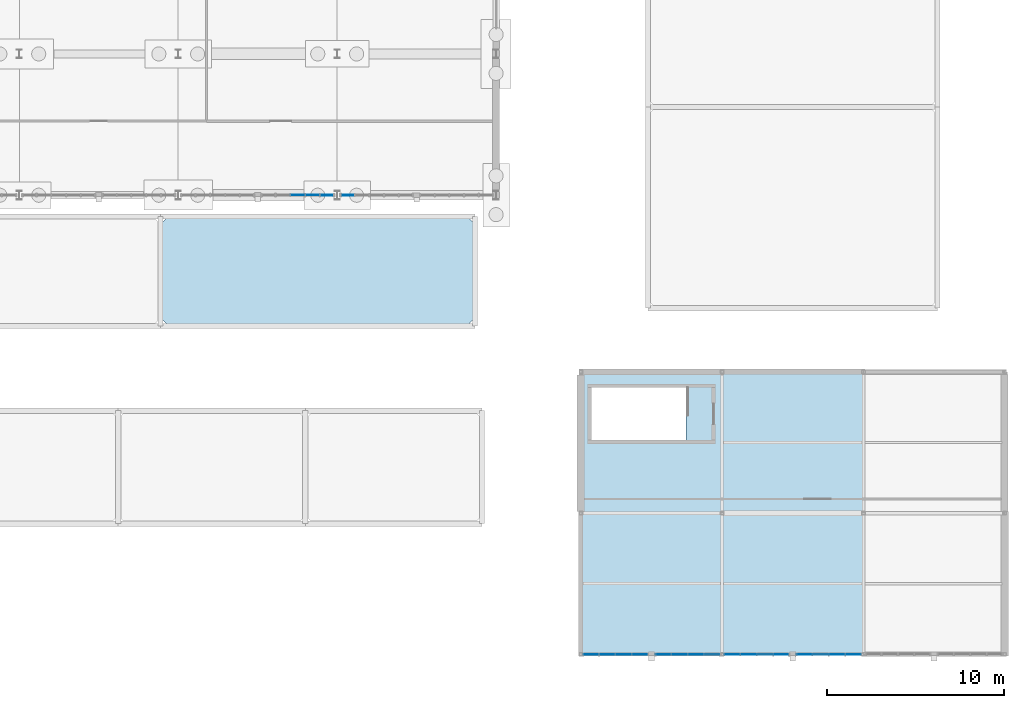
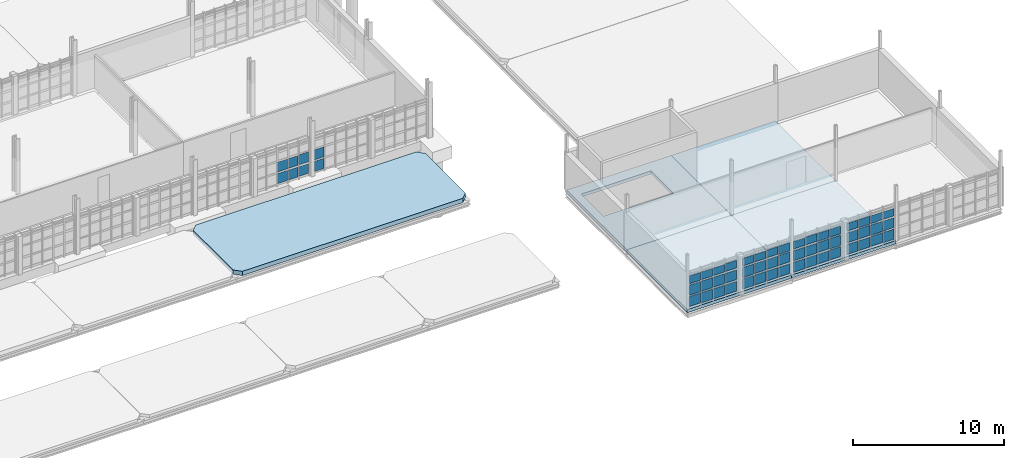
# One storey, part 88 of 125: 56 plates, 5 slabs, 6 elements without a shape of their own.
"""IFC4 building model written with IfcOpenShell, lengths in metres."""

from ifc_helpers import new_model, si_unit, direction, frame, origin, origin_2d, place, context, subcontext, project, spatial, polyline, rectangle, outline, extrude, material, layer, layer_set, type_object, element, aggregate, save


model = new_model("IFC4")

# Units and contexts
model_context = context("Model", 3, precision=1e-05, world=origin(), true_north=direction((0.0, 1.0)))
body_context = subcontext(model_context, "Body", "Model", "MODEL_VIEW")
ifc_project = project(units=[si_unit("LENGTHUNIT", "METRE"), si_unit("AREAUNIT", "SQUARE_METRE"), si_unit("VOLUMEUNIT", "CUBIC_METRE"), si_unit("PLANEANGLEUNIT", "RADIAN"), si_unit("MASSUNIT", "GRAM", prefix="KILO")], contexts=[model_context])

# Site, building, storey
site_placement = place(None, origin())
site = spatial("IfcSite", under=ifc_project, at=site_placement, CompositionType="ELEMENT")
building_placement = place(site_placement, origin())
building = spatial("IfcBuilding", under=site, at=building_placement, Name="Serraforn Aerial Cableway Station", CompositionType="ELEMENT")
storey_placement = place(building_placement, frame((0.0, 0.0, 4.5)))
storey = spatial("IfcBuildingStorey", under=building, at=storey_placement, Name="L01", CompositionType="ELEMENT", Elevation=4.5)

# Curtain wall, plates
ifc_material_1 = material(Name="Anodised bronze unitised curtain wall")
curtain_wall_type_1 = type_object("IfcCurtainWallType", Name="CW-SYS-3", PredefinedType="USERDEFINED", material=ifc_material_1)
curtain_wall_1_placement = place(storey_placement, origin())
curtain_wall_1 = element("IfcCurtainWall", 1, at=curtain_wall_1_placement, inside=storey, type_object=curtain_wall_type_1, Name="Unitised Curtain Wall CW-ES-L01-S1A", ObjectType="UNITISED CURTAIN WALL", PredefinedType="USERDEFINED")
ifc_material_2 = material(Name="Solar-control low-E double glazing", Category="glass")
ifc_layer_1 = layer(ifc_material_2, 0.02587890625)
ifc_layer_set_1 = layer_set([ifc_layer_1], Name="Solar-control low-E double glazing")
plate_type_1 = type_object("IfcPlateType", Name="CW-GLZ-1", PredefinedType="CURTAIN_PANEL", material=ifc_layer_set_1)
plate_1_placement = place(storey_placement, frame((144.57958984375, 0.0, 1.11376953125), z_axis=(0.0, 0.0, 1.0), x_axis=(1.0, 0.0, 0.0)))
plate_1 = element("IfcPlate", 2, at=plate_1_placement, type_object=plate_type_1, Name="Curtain Wall Panel CW-ES-L01-S1A-P1-2", PredefinedType="CURTAIN_PANEL", context=body_context, shape_type="SweptSolid", body=[
    extrude(rectangle(XDim=0.826904296875, YDim=0.02587890625, at=origin_2d()), origin(), (0.0, 0.0, 1.0), 0.824951171875),
])
plate_2_placement = place(storey_placement, frame((145.498779296875, 0.0, 0.177734375), z_axis=(0.0, 0.0, 1.0), x_axis=(1.0, 0.0, 0.0)))
plate_2 = element("IfcPlate", 3, at=plate_2_placement, type_object=plate_type_1, Name="Curtain Wall Panel CW-ES-L01-S1A-P2-1", PredefinedType="CURTAIN_PANEL", context=body_context, shape_type="SweptSolid", body=[
    extrude(rectangle(XDim=0.869384765625, YDim=0.02587890625, at=origin_2d()), origin(), (0.0, 0.0, 1.0), 0.824951171875),
])

# Curtain wall, plate
curtain_wall_type_2 = type_object("IfcCurtainWallType", Name="CW-SYS-4", PredefinedType="USERDEFINED", material=ifc_material_1)
curtain_wall_2_placement = place(storey_placement, origin())
curtain_wall_2 = element("IfcCurtainWall", 4, at=curtain_wall_2_placement, inside=storey, type_object=curtain_wall_type_2, Name="Unitised Curtain Wall CW-ES-L01-S1B", ObjectType="UNITISED CURTAIN WALL", PredefinedType="USERDEFINED")
plate_3_placement = place(storey_placement, frame((148.6689453125, 0.0, 0.177734375), z_axis=(0.0, 0.0, 1.0), x_axis=(1.0, 0.0, 0.0)))
plate_3 = element("IfcPlate", 5, at=plate_3_placement, type_object=plate_type_1, Name="Curtain Wall Panel CW-ES-L01-S1B-P1-1", PredefinedType="CURTAIN_PANEL", context=body_context, shape_type="SweptSolid", body=[
    extrude(rectangle(XDim=0.83203125, YDim=0.02587890625, at=origin_2d()), origin(), (0.0, 0.0, 1.0), 0.824951171875),
])

curtain_wall_type_3 = type_object("IfcCurtainWallType", Name="CW-SYS-18", PredefinedType="USERDEFINED", material=ifc_material_1)
curtain_wall_3_placement = place(storey_placement, origin())
curtain_wall_3 = element("IfcCurtainWall", 6, at=curtain_wall_3_placement, inside=storey, type_object=curtain_wall_type_3, Name="Unitised Curtain Wall CW-EL-L01-S4B", ObjectType="UNITISED CURTAIN WALL", PredefinedType="USERDEFINED")
plate_4_placement = place(storey_placement, frame((127.964599609375, 26.0, 0.182861328125), z_axis=(0.0, 0.0, 1.0), x_axis=(1.0, 0.0, 0.0)))
plate_4 = element("IfcPlate", 7, at=plate_4_placement, type_object=plate_type_1, Name="Curtain Wall Panel CW-EL-L01-S4B-P3-1", PredefinedType="CURTAIN_PANEL", context=body_context, shape_type="SweptSolid", body=[
    extrude(rectangle(XDim=0.781005859375, YDim=0.02587890625, at=origin_2d()), origin(), (0.0, 0.0, 1.0), 0.8125),
])

curtain_wall_type_4 = type_object("IfcCurtainWallType", Name="CW-SYS-19", PredefinedType="USERDEFINED", material=ifc_material_1)
curtain_wall_4_placement = place(storey_placement, origin())
curtain_wall_4 = element("IfcCurtainWall", 8, at=curtain_wall_4_placement, inside=storey, type_object=curtain_wall_type_4, Name="Unitised Curtain Wall CW-EL-L01-S5A", ObjectType="UNITISED CURTAIN WALL", PredefinedType="USERDEFINED")
plate_5_placement = place(storey_placement, frame((130.788818359375, 26.0, 1.118896484375), z_axis=(0.0, 0.0, 1.0), x_axis=(1.0, 0.0, 0.0)))
plate_5 = element("IfcPlate", 9, at=plate_5_placement, type_object=plate_type_1, Name="Curtain Wall Panel CW-EL-L01-S5A-P1-2", PredefinedType="CURTAIN_PANEL", context=body_context, shape_type="SweptSolid", body=[
    extrude(rectangle(XDim=0.73583984375, YDim=0.02587890625, at=origin_2d()), origin(), (0.0, 0.0, 1.0), 0.8125),
])

# Plate
ifc_layer_2 = layer(ifc_material_2, 0.028076171875)
ifc_layer_set_2 = layer_set([ifc_layer_2], Name="Solar-control low-E double glazing")
plate_type_2 = type_object("IfcPlateType", Name="CW-GLZ-2", PredefinedType="CURTAIN_PANEL", material=ifc_layer_set_2)
plate_6_placement = place(storey_placement, frame((144.57958984375, 0.0, 2.0546875), z_axis=(0.0, 0.0, 1.0), x_axis=(1.0, 0.0, 0.0)))
plate_6 = element("IfcPlate", 10, at=plate_6_placement, type_object=plate_type_2, Name="Curtain Wall Panel CW-ES-L01-S1A-P1-3", PredefinedType="CURTAIN_PANEL", context=body_context, shape_type="SweptSolid", body=[
    extrude(rectangle(XDim=0.826904296875, YDim=0.028076171875, at=origin_2d()), origin(), (0.0, 0.0, 1.0), 0.625244140625),
])

plate_7_placement = place(storey_placement, frame((145.498779296875, 0.0, 1.118896484375), z_axis=(0.0, 0.0, 1.0), x_axis=(1.0, 0.0, 0.0)))
plate_7 = element("IfcPlate", 11, at=plate_7_placement, type_object=plate_type_2, Name="Curtain Wall Panel CW-ES-L01-S1A-P2-2", PredefinedType="CURTAIN_PANEL", context=body_context, shape_type="SweptSolid", body=[
    extrude(rectangle(XDim=0.869384765625, YDim=0.028076171875, at=origin_2d()), origin(), (0.0, 0.0, 1.0), 0.8125),
])

plate_8_placement = place(storey_placement, frame((146.423095703125, 0.0, 0.182861328125), z_axis=(0.0, 0.0, 1.0), x_axis=(1.0, 0.0, 0.0)))
plate_8 = element("IfcPlate", 12, at=plate_8_placement, type_object=plate_type_2, Name="Curtain Wall Panel CW-ES-L01-S1A-P3-1", PredefinedType="CURTAIN_PANEL", context=body_context, shape_type="SweptSolid", body=[
    extrude(rectangle(XDim=0.876953125, YDim=0.028076171875, at=origin_2d()), origin(), (0.0, 0.0, 1.0), 0.8125),
])

plate_9_placement = place(storey_placement, frame((148.6689453125, 0.0, 1.118896484375), z_axis=(0.0, 0.0, 1.0), x_axis=(1.0, 0.0, 0.0)))
plate_9 = element("IfcPlate", 13, at=plate_9_placement, type_object=plate_type_2, Name="Curtain Wall Panel CW-ES-L01-S1B-P1-2", PredefinedType="CURTAIN_PANEL", context=body_context, shape_type="SweptSolid", body=[
    extrude(rectangle(XDim=0.83203125, YDim=0.028076171875, at=origin_2d()), origin(), (0.0, 0.0, 1.0), 0.8125),
])

plate_10_placement = place(storey_placement, frame((149.574462890625, 0.0, 0.182861328125), z_axis=(0.0, 0.0, 1.0), x_axis=(1.0, 0.0, 0.0)))
plate_10 = element("IfcPlate", 14, at=plate_10_placement, type_object=plate_type_2, Name="Curtain Wall Panel CW-ES-L01-S1B-P2-1", PredefinedType="CURTAIN_PANEL", context=body_context, shape_type="SweptSolid", body=[
    extrude(rectangle(XDim=0.876953125, YDim=0.028076171875, at=origin_2d()), origin(), (0.0, 0.0, 1.0), 0.8125),
])

# Curtain wall, plate
curtain_wall_type_5 = type_object("IfcCurtainWallType", Name="CW-SYS-5", PredefinedType="USERDEFINED", material=ifc_material_1)
curtain_wall_5_placement = place(storey_placement, origin())
curtain_wall_5 = element("IfcCurtainWall", 15, at=curtain_wall_5_placement, inside=storey, type_object=curtain_wall_type_5, Name="Unitised Curtain Wall CW-ES-L01-S2A", ObjectType="UNITISED CURTAIN WALL", PredefinedType="USERDEFINED")
plate_11_placement = place(storey_placement, frame((152.57568359375, 0.0, 0.182861328125), z_axis=(0.0, 0.0, 1.0), x_axis=(1.0, 0.0, 0.0)))
plate_11 = element("IfcPlate", 16, at=plate_11_placement, type_object=plate_type_2, Name="Curtain Wall Panel CW-ES-L01-S2A-P1-1", PredefinedType="CURTAIN_PANEL", context=body_context, shape_type="SweptSolid", body=[
    extrude(rectangle(XDim=0.849609375, YDim=0.028076171875, at=origin_2d()), origin(), (0.0, 0.0, 1.0), 0.8125),
])

# Plate
plate_12_placement = place(storey_placement, frame((127.964599609375, 26.0, 1.12646484375), z_axis=(0.0, 0.0, 1.0), x_axis=(1.0, 0.0, 0.0)))
plate_12 = element("IfcPlate", 17, at=plate_12_placement, type_object=plate_type_2, Name="Curtain Wall Panel CW-EL-L01-S4B-P3-2", PredefinedType="CURTAIN_PANEL", context=body_context, shape_type="SweptSolid", body=[
    extrude(rectangle(XDim=0.781005859375, YDim=0.028076171875, at=origin_2d()), origin(), (0.0, 0.0, 1.0), 0.797607421875),
])

plate_13_placement = place(storey_placement, frame((128.799072265625, 26.0, 0.1904296875), z_axis=(0.0, 0.0, 1.0), x_axis=(1.0, 0.0, 0.0)))
plate_13 = element("IfcPlate", 18, at=plate_13_placement, type_object=plate_type_2, Name="Curtain Wall Panel CW-EL-L01-S4B-P4-1", PredefinedType="CURTAIN_PANEL", context=body_context, shape_type="SweptSolid", body=[
    extrude(rectangle(XDim=0.77587890625, YDim=0.028076171875, at=origin_2d()), origin(), (0.0, 0.0, 1.0), 0.797607421875),
])

ifc_layer_3 = layer(ifc_material_2, 0.030029296875)
ifc_layer_set_3 = layer_set([ifc_layer_3], Name="Solar-control low-E double glazing")
plate_type_3 = type_object("IfcPlateType", Name="CW-GLZ-3", PredefinedType="CURTAIN_PANEL", material=ifc_layer_set_3)
plate_14_placement = place(storey_placement, frame((145.498779296875, 0.0, 2.062255859375), z_axis=(0.0, 0.0, 1.0), x_axis=(1.0, 0.0, 0.0)))
plate_14 = element("IfcPlate", 19, at=plate_14_placement, type_object=plate_type_3, Name="Curtain Wall Panel CW-ES-L01-S1A-P2-3", PredefinedType="CURTAIN_PANEL", context=body_context, shape_type="SweptSolid", body=[
    extrude(rectangle(XDim=0.869384765625, YDim=0.030029296875, at=origin_2d()), origin(), (0.0, 0.0, 1.0), 0.6103515625),
])

plate_15_placement = place(storey_placement, frame((146.423095703125, 0.0, 1.12646484375), z_axis=(0.0, 0.0, 1.0), x_axis=(1.0, 0.0, 0.0)))
plate_15 = element("IfcPlate", 20, at=plate_15_placement, type_object=plate_type_3, Name="Curtain Wall Panel CW-ES-L01-S1A-P3-2", PredefinedType="CURTAIN_PANEL", context=body_context, shape_type="SweptSolid", body=[
    extrude(rectangle(XDim=0.876953125, YDim=0.030029296875, at=origin_2d()), origin(), (0.0, 0.0, 1.0), 0.797607421875),
])

plate_16_placement = place(storey_placement, frame((147.337158203125, 0.0, 0.1904296875), z_axis=(0.0, 0.0, 1.0), x_axis=(1.0, 0.0, 0.0)))
plate_16 = element("IfcPlate", 21, at=plate_16_placement, type_object=plate_type_3, Name="Curtain Wall Panel CW-ES-L01-S1A-P4-1", PredefinedType="CURTAIN_PANEL", context=body_context, shape_type="SweptSolid", body=[
    extrude(rectangle(XDim=0.839599609375, YDim=0.030029296875, at=origin_2d()), origin(), (0.0, 0.0, 1.0), 0.797607421875),
])

plate_17_placement = place(storey_placement, frame((148.6689453125, 0.0, 2.062255859375), z_axis=(0.0, 0.0, 1.0), x_axis=(1.0, 0.0, 0.0)))
plate_17 = element("IfcPlate", 22, at=plate_17_placement, type_object=plate_type_3, Name="Curtain Wall Panel CW-ES-L01-S1B-P1-3", PredefinedType="CURTAIN_PANEL", context=body_context, shape_type="SweptSolid", body=[
    extrude(rectangle(XDim=0.83203125, YDim=0.030029296875, at=origin_2d()), origin(), (0.0, 0.0, 1.0), 0.6103515625),
])

plate_18_placement = place(storey_placement, frame((149.574462890625, 0.0, 1.12646484375), z_axis=(0.0, 0.0, 1.0), x_axis=(1.0, 0.0, 0.0)))
plate_18 = element("IfcPlate", 23, at=plate_18_placement, type_object=plate_type_3, Name="Curtain Wall Panel CW-ES-L01-S1B-P2-2", PredefinedType="CURTAIN_PANEL", context=body_context, shape_type="SweptSolid", body=[
    extrude(rectangle(XDim=0.876953125, YDim=0.030029296875, at=origin_2d()), origin(), (0.0, 0.0, 1.0), 0.797607421875),
])

plate_19_placement = place(storey_placement, frame((150.5048828125, 0.0, 0.1904296875), z_axis=(0.0, 0.0, 1.0), x_axis=(1.0, 0.0, 0.0)))
plate_19 = element("IfcPlate", 24, at=plate_19_placement, type_object=plate_type_3, Name="Curtain Wall Panel CW-ES-L01-S1B-P3-1", PredefinedType="CURTAIN_PANEL", context=body_context, shape_type="SweptSolid", body=[
    extrude(rectangle(XDim=0.8720703125, YDim=0.030029296875, at=origin_2d()), origin(), (0.0, 0.0, 1.0), 0.797607421875),
])

plate_20_placement = place(storey_placement, frame((152.57568359375, 0.0, 1.12646484375), z_axis=(0.0, 0.0, 1.0), x_axis=(1.0, 0.0, 0.0)))
plate_20 = element("IfcPlate", 25, at=plate_20_placement, type_object=plate_type_3, Name="Curtain Wall Panel CW-ES-L01-S2A-P1-2", PredefinedType="CURTAIN_PANEL", context=body_context, shape_type="SweptSolid", body=[
    extrude(rectangle(XDim=0.849609375, YDim=0.030029296875, at=origin_2d()), origin(), (0.0, 0.0, 1.0), 0.797607421875),
])

plate_21_placement = place(storey_placement, frame((153.492431640625, 0.0, 0.1904296875), z_axis=(0.0, 0.0, 1.0), x_axis=(1.0, 0.0, 0.0)))
plate_21 = element("IfcPlate", 26, at=plate_21_placement, type_object=plate_type_3, Name="Curtain Wall Panel CW-ES-L01-S2A-P2-1", PredefinedType="CURTAIN_PANEL", context=body_context, shape_type="SweptSolid", body=[
    extrude(rectangle(XDim=0.8720703125, YDim=0.030029296875, at=origin_2d()), origin(), (0.0, 0.0, 1.0), 0.797607421875),
])

# Curtain wall, plate
curtain_wall_type_6 = type_object("IfcCurtainWallType", Name="CW-SYS-6", PredefinedType="USERDEFINED", material=ifc_material_1)
curtain_wall_6_placement = place(storey_placement, origin())
curtain_wall_6 = element("IfcCurtainWall", 27, at=curtain_wall_6_placement, inside=storey, type_object=curtain_wall_type_6, Name="Unitised Curtain Wall CW-ES-L01-S2B", ObjectType="UNITISED CURTAIN WALL", PredefinedType="USERDEFINED")
plate_22_placement = place(storey_placement, frame((156.658935546875, 0.0, 0.1904296875), z_axis=(0.0, 0.0, 1.0), x_axis=(1.0, 0.0, 0.0)))
plate_22 = element("IfcPlate", 28, at=plate_22_placement, type_object=plate_type_3, Name="Curtain Wall Panel CW-ES-L01-S2B-P1-1", PredefinedType="CURTAIN_PANEL", context=body_context, shape_type="SweptSolid", body=[
    extrude(rectangle(XDim=0.842041015625, YDim=0.030029296875, at=origin_2d()), origin(), (0.0, 0.0, 1.0), 0.797607421875),
])

# Plate
plate_23_placement = place(storey_placement, frame((128.799072265625, 26.0, 1.1337890625), z_axis=(0.0, 0.0, 1.0), x_axis=(1.0, 0.0, 0.0)))
plate_23 = element("IfcPlate", 29, at=plate_23_placement, type_object=plate_type_3, Name="Curtain Wall Panel CW-EL-L01-S4B-P4-2", PredefinedType="CURTAIN_PANEL", context=body_context, shape_type="SweptSolid", body=[
    extrude(rectangle(XDim=0.77587890625, YDim=0.030029296875, at=origin_2d()), origin(), (0.0, 0.0, 1.0), 0.782470703125),
])

plate_24_placement = place(storey_placement, frame((129.6162109375, 26.0, 0.19775390625), z_axis=(0.0, 0.0, 1.0), x_axis=(1.0, 0.0, 0.0)))
plate_24 = element("IfcPlate", 30, at=plate_24_placement, type_object=plate_type_3, Name="Curtain Wall Panel CW-EL-L01-S4B-P5-1", PredefinedType="CURTAIN_PANEL", context=body_context, shape_type="SweptSolid", body=[
    extrude(rectangle(XDim=0.73583984375, YDim=0.030029296875, at=origin_2d()), origin(), (0.0, 0.0, 1.0), 0.782470703125),
])

ifc_layer_4 = layer(ifc_material_2, 0.031982421875)
ifc_layer_set_4 = layer_set([ifc_layer_4], Name="Solar-control low-E double glazing")
plate_type_4 = type_object("IfcPlateType", Name="CW-GLZ-4", PredefinedType="CURTAIN_PANEL", material=ifc_layer_set_4)
plate_25_placement = place(storey_placement, frame((146.423095703125, 0.0, 2.06982421875), z_axis=(0.0, 0.0, 1.0), x_axis=(1.0, 0.0, 0.0)))
plate_25 = element("IfcPlate", 31, at=plate_25_placement, type_object=plate_type_4, Name="Curtain Wall Panel CW-ES-L01-S1A-P3-3", PredefinedType="CURTAIN_PANEL", context=body_context, shape_type="SweptSolid", body=[
    extrude(rectangle(XDim=0.876953125, YDim=0.031982421875, at=origin_2d()), origin(), (0.0, 0.0, 1.0), 0.59521484375),
])

plate_26_placement = place(storey_placement, frame((147.337158203125, 0.0, 1.1337890625), z_axis=(0.0, 0.0, 1.0), x_axis=(1.0, 0.0, 0.0)))
plate_26 = element("IfcPlate", 32, at=plate_26_placement, type_object=plate_type_4, Name="Curtain Wall Panel CW-ES-L01-S1A-P4-2", PredefinedType="CURTAIN_PANEL", context=body_context, shape_type="SweptSolid", body=[
    extrude(rectangle(XDim=0.839599609375, YDim=0.031982421875, at=origin_2d()), origin(), (0.0, 0.0, 1.0), 0.782470703125),
])

plate_27_placement = place(storey_placement, frame((149.574462890625, 0.0, 2.06982421875), z_axis=(0.0, 0.0, 1.0), x_axis=(1.0, 0.0, 0.0)))
plate_27 = element("IfcPlate", 33, at=plate_27_placement, type_object=plate_type_4, Name="Curtain Wall Panel CW-ES-L01-S1B-P2-3", PredefinedType="CURTAIN_PANEL", context=body_context, shape_type="SweptSolid", body=[
    extrude(rectangle(XDim=0.876953125, YDim=0.031982421875, at=origin_2d()), origin(), (0.0, 0.0, 1.0), 0.59521484375),
])

plate_28_placement = place(storey_placement, frame((150.5048828125, 0.0, 1.1337890625), z_axis=(0.0, 0.0, 1.0), x_axis=(1.0, 0.0, 0.0)))
plate_28 = element("IfcPlate", 34, at=plate_28_placement, type_object=plate_type_4, Name="Curtain Wall Panel CW-ES-L01-S1B-P3-2", PredefinedType="CURTAIN_PANEL", context=body_context, shape_type="SweptSolid", body=[
    extrude(rectangle(XDim=0.8720703125, YDim=0.031982421875, at=origin_2d()), origin(), (0.0, 0.0, 1.0), 0.782470703125),
])

plate_29_placement = place(storey_placement, frame((151.41796875, 0.0, 0.19775390625), z_axis=(0.0, 0.0, 1.0), x_axis=(1.0, 0.0, 0.0)))
plate_29 = element("IfcPlate", 35, at=plate_29_placement, type_object=plate_type_4, Name="Curtain Wall Panel CW-ES-L01-S1B-P4-1", PredefinedType="CURTAIN_PANEL", context=body_context, shape_type="SweptSolid", body=[
    extrude(rectangle(XDim=0.83203125, YDim=0.031982421875, at=origin_2d()), origin(), (0.0, 0.0, 1.0), 0.782470703125),
])

plate_30_placement = place(storey_placement, frame((152.57568359375, 0.0, 2.06982421875), z_axis=(0.0, 0.0, 1.0), x_axis=(1.0, 0.0, 0.0)))
plate_30 = element("IfcPlate", 36, at=plate_30_placement, type_object=plate_type_4, Name="Curtain Wall Panel CW-ES-L01-S2A-P1-3", PredefinedType="CURTAIN_PANEL", context=body_context, shape_type="SweptSolid", body=[
    extrude(rectangle(XDim=0.849609375, YDim=0.031982421875, at=origin_2d()), origin(), (0.0, 0.0, 1.0), 0.59521484375),
])

plate_31_placement = place(storey_placement, frame((153.492431640625, 0.0, 1.1337890625), z_axis=(0.0, 0.0, 1.0), x_axis=(1.0, 0.0, 0.0)))
plate_31 = element("IfcPlate", 37, at=plate_31_placement, type_object=plate_type_4, Name="Curtain Wall Panel CW-ES-L01-S2A-P2-2", PredefinedType="CURTAIN_PANEL", context=body_context, shape_type="SweptSolid", body=[
    extrude(rectangle(XDim=0.8720703125, YDim=0.031982421875, at=origin_2d()), origin(), (0.0, 0.0, 1.0), 0.782470703125),
])

plate_32_placement = place(storey_placement, frame((154.423095703125, 0.0, 0.19775390625), z_axis=(0.0, 0.0, 1.0), x_axis=(1.0, 0.0, 0.0)))
plate_32 = element("IfcPlate", 38, at=plate_32_placement, type_object=plate_type_4, Name="Curtain Wall Panel CW-ES-L01-S2A-P3-1", PredefinedType="CURTAIN_PANEL", context=body_context, shape_type="SweptSolid", body=[
    extrude(rectangle(XDim=0.866943359375, YDim=0.031982421875, at=origin_2d()), origin(), (0.0, 0.0, 1.0), 0.782470703125),
])

plate_33_placement = place(storey_placement, frame((156.658935546875, 0.0, 1.1337890625), z_axis=(0.0, 0.0, 1.0), x_axis=(1.0, 0.0, 0.0)))
plate_33 = element("IfcPlate", 39, at=plate_33_placement, type_object=plate_type_4, Name="Curtain Wall Panel CW-ES-L01-S2B-P1-2", PredefinedType="CURTAIN_PANEL", context=body_context, shape_type="SweptSolid", body=[
    extrude(rectangle(XDim=0.842041015625, YDim=0.031982421875, at=origin_2d()), origin(), (0.0, 0.0, 1.0), 0.782470703125),
])

plate_34_placement = place(storey_placement, frame((157.574462890625, 0.0, 0.19775390625), z_axis=(0.0, 0.0, 1.0), x_axis=(1.0, 0.0, 0.0)))
plate_34 = element("IfcPlate", 40, at=plate_34_placement, type_object=plate_type_4, Name="Curtain Wall Panel CW-ES-L01-S2B-P2-1", PredefinedType="CURTAIN_PANEL", context=body_context, shape_type="SweptSolid", body=[
    extrude(rectangle(XDim=0.866943359375, YDim=0.031982421875, at=origin_2d()), origin(), (0.0, 0.0, 1.0), 0.782470703125),
])

plate_35_placement = place(storey_placement, frame((129.6162109375, 26.0, 1.14111328125), z_axis=(0.0, 0.0, 1.0), x_axis=(1.0, 0.0, 0.0)))
plate_35 = element("IfcPlate", 41, at=plate_35_placement, type_object=plate_type_4, Name="Curtain Wall Panel CW-EL-L01-S4B-P5-2", PredefinedType="CURTAIN_PANEL", context=body_context, shape_type="SweptSolid", body=[
    extrude(rectangle(XDim=0.73583984375, YDim=0.031982421875, at=origin_2d()), origin(), (0.0, 0.0, 1.0), 0.802490234375),
])

aggregate(curtain_wall_3, [plate_4, plate_12, plate_13, plate_23, plate_24, plate_35])

ifc_layer_5 = layer(ifc_material_2, 0.033935546875)
ifc_layer_set_5 = layer_set([ifc_layer_5], Name="Solar-control low-E double glazing")
plate_type_5 = type_object("IfcPlateType", Name="CW-GLZ-5", PredefinedType="CURTAIN_PANEL", material=ifc_layer_set_5)
plate_36_placement = place(storey_placement, frame((147.337158203125, 0.0, 2.077392578125), z_axis=(0.0, 0.0, 1.0), x_axis=(1.0, 0.0, 0.0)))
plate_36 = element("IfcPlate", 42, at=plate_36_placement, type_object=plate_type_5, Name="Curtain Wall Panel CW-ES-L01-S1A-P4-3", PredefinedType="CURTAIN_PANEL", context=body_context, shape_type="SweptSolid", body=[
    extrude(rectangle(XDim=0.839599609375, YDim=0.033935546875, at=origin_2d()), origin(), (0.0, 0.0, 1.0), 0.615234375),
])

plate_37_placement = place(storey_placement, frame((150.5048828125, 0.0, 2.077392578125), z_axis=(0.0, 0.0, 1.0), x_axis=(1.0, 0.0, 0.0)))
plate_37 = element("IfcPlate", 43, at=plate_37_placement, type_object=plate_type_5, Name="Curtain Wall Panel CW-ES-L01-S1B-P3-3", PredefinedType="CURTAIN_PANEL", context=body_context, shape_type="SweptSolid", body=[
    extrude(rectangle(XDim=0.8720703125, YDim=0.033935546875, at=origin_2d()), origin(), (0.0, 0.0, 1.0), 0.615234375),
])

plate_38_placement = place(storey_placement, frame((151.41796875, 0.0, 1.14111328125), z_axis=(0.0, 0.0, 1.0), x_axis=(1.0, 0.0, 0.0)))
plate_38 = element("IfcPlate", 44, at=plate_38_placement, type_object=plate_type_5, Name="Curtain Wall Panel CW-ES-L01-S1B-P4-2", PredefinedType="CURTAIN_PANEL", context=body_context, shape_type="SweptSolid", body=[
    extrude(rectangle(XDim=0.83203125, YDim=0.033935546875, at=origin_2d()), origin(), (0.0, 0.0, 1.0), 0.802490234375),
])

plate_39_placement = place(storey_placement, frame((153.492431640625, 0.0, 2.077392578125), z_axis=(0.0, 0.0, 1.0), x_axis=(1.0, 0.0, 0.0)))
plate_39 = element("IfcPlate", 45, at=plate_39_placement, type_object=plate_type_5, Name="Curtain Wall Panel CW-ES-L01-S2A-P2-3", PredefinedType="CURTAIN_PANEL", context=body_context, shape_type="SweptSolid", body=[
    extrude(rectangle(XDim=0.8720703125, YDim=0.033935546875, at=origin_2d()), origin(), (0.0, 0.0, 1.0), 0.615234375),
])

plate_40_placement = place(storey_placement, frame((154.423095703125, 0.0, 1.14111328125), z_axis=(0.0, 0.0, 1.0), x_axis=(1.0, 0.0, 0.0)))
plate_40 = element("IfcPlate", 46, at=plate_40_placement, type_object=plate_type_5, Name="Curtain Wall Panel CW-ES-L01-S2A-P3-2", PredefinedType="CURTAIN_PANEL", context=body_context, shape_type="SweptSolid", body=[
    extrude(rectangle(XDim=0.866943359375, YDim=0.033935546875, at=origin_2d()), origin(), (0.0, 0.0, 1.0), 0.802490234375),
])

plate_41_placement = place(storey_placement, frame((155.334716796875, 0.0, 0.20556640625), z_axis=(0.0, 0.0, 1.0), x_axis=(1.0, 0.0, 0.0)))
plate_41 = element("IfcPlate", 47, at=plate_41_placement, type_object=plate_type_5, Name="Curtain Wall Panel CW-ES-L01-S2A-P4-1", PredefinedType="CURTAIN_PANEL", context=body_context, shape_type="SweptSolid", body=[
    extrude(rectangle(XDim=0.824462890625, YDim=0.033935546875, at=origin_2d()), origin(), (0.0, 0.0, 1.0), 0.802490234375),
])

plate_42_placement = place(storey_placement, frame((156.658935546875, 0.0, 2.077392578125), z_axis=(0.0, 0.0, 1.0), x_axis=(1.0, 0.0, 0.0)))
plate_42 = element("IfcPlate", 48, at=plate_42_placement, type_object=plate_type_5, Name="Curtain Wall Panel CW-ES-L01-S2B-P1-3", PredefinedType="CURTAIN_PANEL", context=body_context, shape_type="SweptSolid", body=[
    extrude(rectangle(XDim=0.842041015625, YDim=0.033935546875, at=origin_2d()), origin(), (0.0, 0.0, 1.0), 0.615234375),
])

plate_43_placement = place(storey_placement, frame((157.574462890625, 0.0, 1.14111328125), z_axis=(0.0, 0.0, 1.0), x_axis=(1.0, 0.0, 0.0)))
plate_43 = element("IfcPlate", 49, at=plate_43_placement, type_object=plate_type_5, Name="Curtain Wall Panel CW-ES-L01-S2B-P2-2", PredefinedType="CURTAIN_PANEL", context=body_context, shape_type="SweptSolid", body=[
    extrude(rectangle(XDim=0.866943359375, YDim=0.033935546875, at=origin_2d()), origin(), (0.0, 0.0, 1.0), 0.802490234375),
])

plate_44_placement = place(storey_placement, frame((158.5048828125, 0.0, 0.20556640625), z_axis=(0.0, 0.0, 1.0), x_axis=(1.0, 0.0, 0.0)))
plate_44 = element("IfcPlate", 50, at=plate_44_placement, type_object=plate_type_5, Name="Curtain Wall Panel CW-ES-L01-S2B-P3-1", PredefinedType="CURTAIN_PANEL", context=body_context, shape_type="SweptSolid", body=[
    extrude(rectangle(XDim=0.862060546875, YDim=0.033935546875, at=origin_2d()), origin(), (0.0, 0.0, 1.0), 0.802490234375),
])

ifc_layer_6 = layer(ifc_material_2, 0.035888671875)
ifc_layer_set_6 = layer_set([ifc_layer_6], Name="Solar-control low-E double glazing")
plate_type_6 = type_object("IfcPlateType", Name="CW-GLZ-6", PredefinedType="CURTAIN_PANEL", material=ifc_layer_set_6)
plate_45_placement = place(storey_placement, frame((151.41796875, 0.0, 2.0498046875), z_axis=(0.0, 0.0, 1.0), x_axis=(1.0, 0.0, 0.0)))
plate_45 = element("IfcPlate", 51, at=plate_45_placement, type_object=plate_type_6, Name="Curtain Wall Panel CW-ES-L01-S1B-P4-3", PredefinedType="CURTAIN_PANEL", context=body_context, shape_type="SweptSolid", body=[
    extrude(rectangle(XDim=0.83203125, YDim=0.035888671875, at=origin_2d()), origin(), (0.0, 0.0, 1.0), 0.6376953125),
])

aggregate(curtain_wall_2, [plate_3, plate_9, plate_17, plate_10, plate_18, plate_27, plate_19, plate_28, plate_37, plate_29, plate_38, plate_45])

plate_46_placement = place(storey_placement, frame((154.423095703125, 0.0, 2.0498046875), z_axis=(0.0, 0.0, 1.0), x_axis=(1.0, 0.0, 0.0)))
plate_46 = element("IfcPlate", 52, at=plate_46_placement, type_object=plate_type_6, Name="Curtain Wall Panel CW-ES-L01-S2A-P3-3", PredefinedType="CURTAIN_PANEL", context=body_context, shape_type="SweptSolid", body=[
    extrude(rectangle(XDim=0.866943359375, YDim=0.035888671875, at=origin_2d()), origin(), (0.0, 0.0, 1.0), 0.6376953125),
])

plate_47_placement = place(storey_placement, frame((155.334716796875, 0.0, 1.11376953125), z_axis=(0.0, 0.0, 1.0), x_axis=(1.0, 0.0, 0.0)))
plate_47 = element("IfcPlate", 53, at=plate_47_placement, type_object=plate_type_6, Name="Curtain Wall Panel CW-ES-L01-S2A-P4-2", PredefinedType="CURTAIN_PANEL", context=body_context, shape_type="SweptSolid", body=[
    extrude(rectangle(XDim=0.824462890625, YDim=0.035888671875, at=origin_2d()), origin(), (0.0, 0.0, 1.0), 0.824951171875),
])

plate_48_placement = place(storey_placement, frame((157.574462890625, 0.0, 2.0498046875), z_axis=(0.0, 0.0, 1.0), x_axis=(1.0, 0.0, 0.0)))
plate_48 = element("IfcPlate", 54, at=plate_48_placement, type_object=plate_type_6, Name="Curtain Wall Panel CW-ES-L01-S2B-P2-3", PredefinedType="CURTAIN_PANEL", context=body_context, shape_type="SweptSolid", body=[
    extrude(rectangle(XDim=0.866943359375, YDim=0.035888671875, at=origin_2d()), origin(), (0.0, 0.0, 1.0), 0.6376953125),
])

plate_49_placement = place(storey_placement, frame((158.5048828125, 0.0, 1.11376953125), z_axis=(0.0, 0.0, 1.0), x_axis=(1.0, 0.0, 0.0)))
plate_49 = element("IfcPlate", 55, at=plate_49_placement, type_object=plate_type_6, Name="Curtain Wall Panel CW-ES-L01-S2B-P3-2", PredefinedType="CURTAIN_PANEL", context=body_context, shape_type="SweptSolid", body=[
    extrude(rectangle(XDim=0.862060546875, YDim=0.035888671875, at=origin_2d()), origin(), (0.0, 0.0, 1.0), 0.824951171875),
])

plate_50_placement = place(storey_placement, frame((159.427978515625, 0.0, 0.177734375), z_axis=(0.0, 0.0, 1.0), x_axis=(1.0, 0.0, 0.0)))
plate_50 = element("IfcPlate", 56, at=plate_50_placement, type_object=plate_type_6, Name="Curtain Wall Panel CW-ES-L01-S2B-P4-1", PredefinedType="CURTAIN_PANEL", context=body_context, shape_type="SweptSolid", body=[
    extrude(rectangle(XDim=0.842041015625, YDim=0.035888671875, at=origin_2d()), origin(), (0.0, 0.0, 1.0), 0.824951171875),
])

ifc_layer_7 = layer(ifc_material_2, 0.029052734375)
ifc_layer_set_7 = layer_set([ifc_layer_7], Name="Solar-control low-E double glazing")
plate_type_7 = type_object("IfcPlateType", Name="CW-GLZ-7", PredefinedType="CURTAIN_PANEL", material=ifc_layer_set_7)
plate_51_placement = place(storey_placement, frame((155.334716796875, 0.0, 2.0546875), z_axis=(0.0, 0.0, 1.0), x_axis=(1.0, 0.0, 0.0)))
plate_51 = element("IfcPlate", 57, at=plate_51_placement, type_object=plate_type_7, Name="Curtain Wall Panel CW-ES-L01-S2A-P4-3", PredefinedType="CURTAIN_PANEL", context=body_context, shape_type="SweptSolid", body=[
    extrude(rectangle(XDim=0.824462890625, YDim=0.029052734375, at=origin_2d()), origin(), (0.0, 0.0, 1.0), 0.625244140625),
])

aggregate(curtain_wall_5, [plate_11, plate_20, plate_30, plate_21, plate_31, plate_39, plate_32, plate_40, plate_46, plate_41, plate_47, plate_51])

plate_52_placement = place(storey_placement, frame((158.5048828125, 0.0, 2.0546875), z_axis=(0.0, 0.0, 1.0), x_axis=(1.0, 0.0, 0.0)))
plate_52 = element("IfcPlate", 58, at=plate_52_placement, type_object=plate_type_7, Name="Curtain Wall Panel CW-ES-L01-S2B-P3-3", PredefinedType="CURTAIN_PANEL", context=body_context, shape_type="SweptSolid", body=[
    extrude(rectangle(XDim=0.862060546875, YDim=0.029052734375, at=origin_2d()), origin(), (0.0, 0.0, 1.0), 0.625244140625),
])

plate_53_placement = place(storey_placement, frame((159.427978515625, 0.0, 1.118896484375), z_axis=(0.0, 0.0, 1.0), x_axis=(1.0, 0.0, 0.0)))
plate_53 = element("IfcPlate", 59, at=plate_53_placement, type_object=plate_type_7, Name="Curtain Wall Panel CW-ES-L01-S2B-P4-2", PredefinedType="CURTAIN_PANEL", context=body_context, shape_type="SweptSolid", body=[
    extrude(rectangle(XDim=0.842041015625, YDim=0.029052734375, at=origin_2d()), origin(), (0.0, 0.0, 1.0), 0.8125),
])

ifc_layer_8 = layer(ifc_material_2, 0.031005859375)
ifc_layer_set_8 = layer_set([ifc_layer_8], Name="Solar-control low-E double glazing")
plate_type_8 = type_object("IfcPlateType", Name="CW-GLZ-8", PredefinedType="CURTAIN_PANEL", material=ifc_layer_set_8)
plate_54_placement = place(storey_placement, frame((144.57958984375, 0.0, 0.20556640625), z_axis=(0.0, 0.0, 1.0), x_axis=(1.0, 0.0, 0.0)))
plate_54 = element("IfcPlate", 60, at=plate_54_placement, type_object=plate_type_8, Name="Curtain Wall Panel CW-ES-L01-S1A-P1-1", PredefinedType="CURTAIN_PANEL", context=body_context, shape_type="SweptSolid", body=[
    extrude(rectangle(XDim=0.826904296875, YDim=0.031005859375, at=origin_2d()), origin(), (0.0, 0.0, 1.0), 0.802490234375),
])

aggregate(curtain_wall_1, [plate_54, plate_1, plate_6, plate_2, plate_7, plate_14, plate_8, plate_15, plate_25, plate_16, plate_26, plate_36])

plate_55_placement = place(storey_placement, frame((159.427978515625, 0.0, 2.062255859375), z_axis=(0.0, 0.0, 1.0), x_axis=(1.0, 0.0, 0.0)))
plate_55 = element("IfcPlate", 61, at=plate_55_placement, type_object=plate_type_8, Name="Curtain Wall Panel CW-ES-L01-S2B-P4-3", PredefinedType="CURTAIN_PANEL", context=body_context, shape_type="SweptSolid", body=[
    extrude(rectangle(XDim=0.842041015625, YDim=0.031005859375, at=origin_2d()), origin(), (0.0, 0.0, 1.0), 0.6103515625),
])

aggregate(curtain_wall_6, [plate_22, plate_33, plate_42, plate_34, plate_43, plate_48, plate_44, plate_49, plate_52, plate_50, plate_53, plate_55])

plate_56_placement = place(storey_placement, frame((130.788818359375, 26.0, 0.177734375), z_axis=(0.0, 0.0, 1.0), x_axis=(1.0, 0.0, 0.0)))
plate_56 = element("IfcPlate", 62, at=plate_56_placement, type_object=plate_type_8, Name="Curtain Wall Panel CW-EL-L01-S5A-P1-1", PredefinedType="CURTAIN_PANEL", context=body_context, shape_type="SweptSolid", body=[
    extrude(rectangle(XDim=0.73583984375, YDim=0.031005859375, at=origin_2d()), origin(), (0.0, 0.0, 1.0), 0.824951171875),
])

aggregate(curtain_wall_4, [plate_56, plate_5])

# Slabs
ifc_material_3 = material(Name="Concrete C35/45", Category="concrete")
ifc_layer_9 = layer(ifc_material_3, 0.344970703125)
ifc_layer_set_9 = layer_set([ifc_layer_9], Name="Concrete C35/45")
slab_type_1 = type_object("IfcSlabType", Name="SLB-ARC-345", PredefinedType="ROOF", material=ifc_layer_set_9)
slab_1_placement = place(storey_placement, frame((0.0, 0.0, -0.344970703125)))
element("IfcSlab", 63, at=slab_1_placement, inside=storey, type_object=slab_type_1, Name="Colonnade Canopy Roof C-3-1", PredefinedType="ROOF", context=body_context, shape_type="SweptSolid", body=[
    extrude(outline(polyline([(120.64990234375, 18.60009765625), (137.550048828125, 18.60009765625), (138.0, 19.050048828125), (138.0, 24.35009765625), (137.550048828125, 24.800048828125), (120.64990234375, 24.800048828125), (120.199951171875, 24.35009765625), (120.199951171875, 19.050048828125), (120.64990234375, 18.60009765625)])), origin(), (0.0, 0.0, 1.0), 0.344970703125),
])
ifc_material_4 = material(Name="Concrete C30/37", Category="concrete")
ifc_layer_10 = layer(ifc_material_4, 0.2548828125)
ifc_layer_set_10 = layer_set([ifc_layer_10], Name="Concrete C30/37")
slab_type_2 = type_object("IfcSlabType", Name="SLB-FLR-255", PredefinedType="FLOOR", material=ifc_layer_set_10)
slab_2_placement = place(storey_placement, frame((0.0, 0.0, -0.2548828125)))
element("IfcSlab", 64, at=slab_2_placement, inside=storey, type_object=slab_type_2, Name="Floor Slab ES-L01-1-1", PredefinedType="FLOOR", context=body_context, shape_type="SweptSolid", body=[
    extrude(outline(polyline([(144.0, 0.0), (152.0, 0.0), (152.0, 8.0), (144.0, 8.0), (144.0, 0.0)])), origin(), (0.0, 0.0, 1.0), 0.2548828125),
])
slab_3_placement = place(storey_placement, frame((0.0, 0.0, -0.2548828125)))
element("IfcSlab", 65, at=slab_3_placement, inside=storey, type_object=slab_type_2, Name="Floor Slab ES-L01-1-2", PredefinedType="FLOOR", context=body_context, shape_type="SweptSolid", body=[
    extrude(outline(polyline([(144.0, 8.0), (152.0, 8.0), (152.0, 16.0), (144.0, 16.0), (144.0, 8.0)]), holes=[polyline([(149.949951171875, 15.10009765625), (144.60009765625, 15.10009765625), (144.60009765625, 12.139892578125), (149.949951171875, 12.139892578125), (149.949951171875, 15.10009765625)])]), origin(), (0.0, 0.0, 1.0), 0.2548828125),
])
slab_4_placement = place(storey_placement, frame((0.0, 0.0, -0.2548828125)))
element("IfcSlab", 66, at=slab_4_placement, inside=storey, type_object=slab_type_2, Name="Floor Slab ES-L01-2-1", PredefinedType="FLOOR", context=body_context, shape_type="SweptSolid", body=[
    extrude(outline(polyline([(152.0, 0.0), (160.0, 0.0), (160.0, 8.0), (152.0, 8.0), (152.0, 0.0)])), origin(), (0.0, 0.0, 1.0), 0.2548828125),
])
slab_5_placement = place(storey_placement, frame((0.0, 0.0, -0.2548828125)))
element("IfcSlab", 67, at=slab_5_placement, inside=storey, type_object=slab_type_2, Name="Floor Slab ES-L01-2-2", PredefinedType="FLOOR", context=body_context, shape_type="SweptSolid", body=[
    extrude(outline(polyline([(152.0, 8.0), (160.0, 8.0), (160.0, 16.0), (152.0, 16.0), (152.0, 8.0)])), origin(), (0.0, 0.0, 1.0), 0.2548828125),
])

save(model, "model.ifc")
